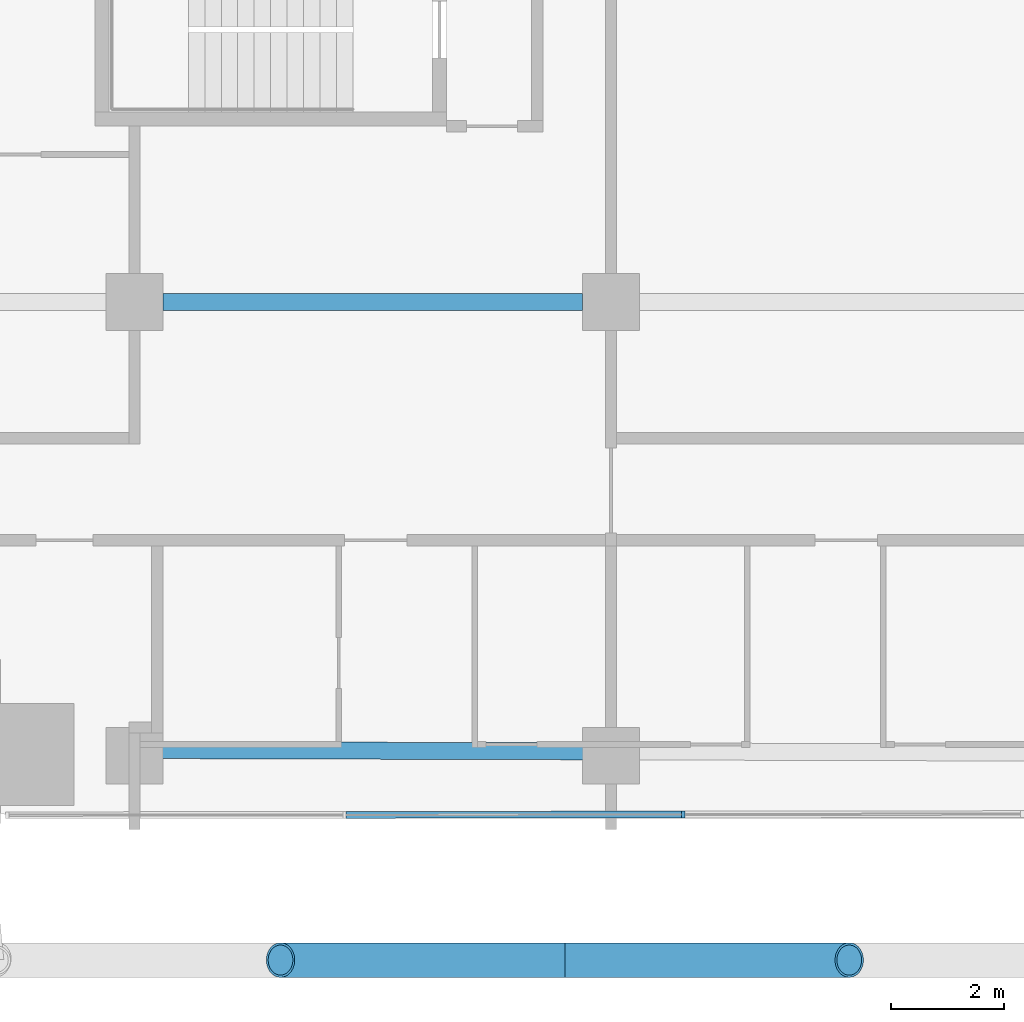
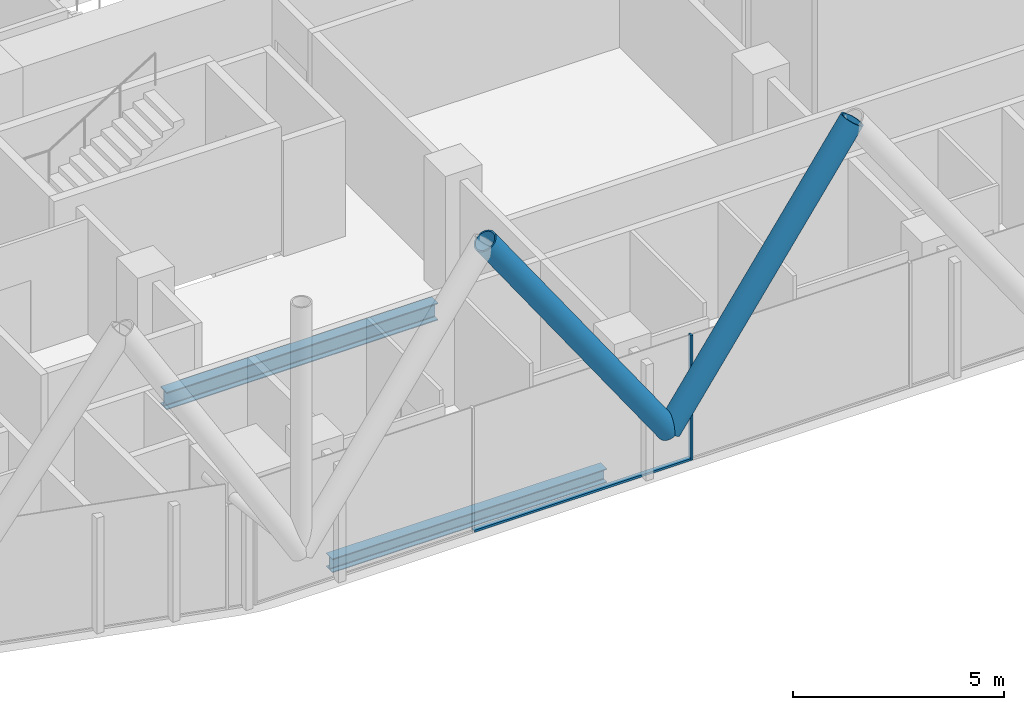
# One storey, part 3 of 34: 4 members, 2 beams, 1 element without a shape of its own.
"""IFC4 building model written with IfcOpenShell, lengths in metres."""

import ifcopenshell
import ifcopenshell.guid

model = None  # the IFC model being written
_history = None  # IfcOwnerHistory: only IFC2X3 demands one
_inside = {}  # id of a spatial element -> (the spatial element, [elements in it])
_under = {}  # id of a project, library or spatial element -> (it, [spatial elements below it])
_declared = {}  # id of a project -> (the project, [libraries it declares])
_typed = {}  # id of a type object -> (the type object, [elements of that type])
_made_of = {}  # id of a material, layer set ... -> (it, [elements and type objects made of it])


def new_model(schema):
    """Start an empty IFC model of exactly this schema.

    Asked for "IFC4X3", IfcOpenShell would pick the latest addendum, in which some entities
    have other attributes; the version numbers below select the first issue.
    IFC2X3 requires an IfcOwnerHistory on every rooted entity: one is made here for all.
    """
    global model, _history
    if schema == "IFC4X3":
        model = ifcopenshell.file(schema_version=(4, 3, 0, 0))
    else:
        model = ifcopenshell.file(schema=schema)
    _inside.clear()
    _under.clear()
    _declared.clear()
    _typed.clear()
    _made_of.clear()
    _history = None
    if model.schema == "IFC2X3":
        org = make("IfcOrganization", Name="unknown")
        user = make(
            "IfcPersonAndOrganization",
            ThePerson=make("IfcPerson", FamilyName="unknown"),
            TheOrganization=org,
        )
        app = make(
            "IfcApplication",
            ApplicationDeveloper=org,
            Version="unknown",
            ApplicationFullName="unknown",
            ApplicationIdentifier="unknown",
        )
        _history = make(
            "IfcOwnerHistory",
            OwningUser=user,
            OwningApplication=app,
            ChangeAction="ADDED",
            CreationDate=0,
        )
    return model


def make(cls, **values):
    """One entity of the class cls with the attributes given. An attribute that is None is left unset."""
    return model.create_entity(
        cls, **{name: value for name, value in values.items() if value is not None}
    )


def rooted(cls, **values):
    """An entity with a GlobalId (a new one), such as an element, a storey or a relation."""
    return make(cls, GlobalId=ifcopenshell.guid.new(), OwnerHistory=_history, **values)


def si_unit(unit_type, name, prefix=None):
    """IfcSIUnit, for example si_unit("LENGTHUNIT", "METRE", prefix="MILLI")."""
    return make("IfcSIUnit", UnitType=unit_type, Prefix=prefix, Name=name)


def assignment(units):
    """IfcUnitAssignment: the units of a project."""
    return None if units is None else make("IfcUnitAssignment", Units=units)


def point(xyz):
    """IfcCartesianPoint."""
    return None if xyz is None else make("IfcCartesianPoint", Coordinates=xyz)


def direction(xyz):
    """IfcDirection."""
    return None if xyz is None else make("IfcDirection", DirectionRatios=xyz)


def frame(location, z_axis=None, x_axis=None):
    """IfcAxis2Placement3D, a coordinate frame: its origin and axes. An axis left out is left unset."""
    return make(
        "IfcAxis2Placement3D",
        Location=point(location),
        Axis=direction(z_axis),
        RefDirection=direction(x_axis),
    )


def frame_2d(location, x_axis=None):
    """IfcAxis2Placement2D, a coordinate frame in the plane: its origin and x axis."""
    return make(
        "IfcAxis2Placement2D", Location=point(location), RefDirection=direction(x_axis)
    )


def origin():
    """The frame at (0, 0, 0) with its axes left unset."""
    return frame((0.0, 0.0, 0.0))


def origin_2d():
    """The frame at (0, 0) in the plane with its x axis left unset."""
    return frame_2d((0.0, 0.0))


def place(relative_to, where):
    """IfcLocalPlacement: puts the frame where relative to a parent placement (None: the world)."""
    return make(
        "IfcLocalPlacement", PlacementRelTo=relative_to, RelativePlacement=where
    )


def context(
    kind, dimensions, precision=None, world=None, true_north=None, identifier=None
):
    """IfcGeometricRepresentationContext, for example the 3D "Model" context."""
    return make(
        "IfcGeometricRepresentationContext",
        ContextIdentifier=identifier,
        ContextType=kind,
        CoordinateSpaceDimension=dimensions,
        Precision=precision,
        WorldCoordinateSystem=world,
        TrueNorth=true_north,
    )


def subcontext(parent, identifier, kind, view, scale=None):
    """IfcGeometricRepresentationSubContext, for example "Body" below "Model"."""
    return make(
        "IfcGeometricRepresentationSubContext",
        ContextIdentifier=identifier,
        ContextType=kind,
        ParentContext=parent,
        TargetScale=scale,
        TargetView=view,
    )


def project(units=None, contexts=None):
    """IfcProject with its units and contexts."""
    return rooted(
        "IfcProject",
        Name="project",
        RepresentationContexts=contexts,
        UnitsInContext=assignment(units),
    )


def spatial(cls, under=None, at=None, **own):
    """A site, building, storey or space (cls), placed at a placement, below another one or the project."""
    s = rooted(cls, ObjectPlacement=at, **own)
    if under is not None:
        _under.setdefault(under.id(), (under, []))[1].append(s)
    return s


def profile(cls, at=None, kind="AREA", **sizes):
    """A parametric profile (cls). Its sizes go by their IFC names, for example OverallWidth=200.0."""
    return make(cls, ProfileType=kind, Position=at, **sizes)


def rectangle(**sizes):
    """IfcRectangleProfileDef."""
    return profile("IfcRectangleProfileDef", **sizes)


def hollow_circle(**sizes):
    """IfcCircleHollowProfileDef."""
    return profile("IfcCircleHollowProfileDef", **sizes)


def i_section(**sizes):
    """IfcIShapeProfileDef."""
    return profile("IfcIShapeProfileDef", **sizes)


def extrude(swept, where, along, depth):
    """IfcExtrudedAreaSolid: the profile swept, set in the frame where, extruded along a direction by depth."""
    return make(
        "IfcExtrudedAreaSolid",
        SweptArea=swept,
        Position=where,
        ExtrudedDirection=direction(along),
        Depth=depth,
    )


def shape(context_of_items, identifier, shape_type, items):
    """IfcShapeRepresentation: the items that make up one representation, for example the "Body"."""
    return make(
        "IfcShapeRepresentation",
        ContextOfItems=context_of_items,
        RepresentationIdentifier=identifier,
        RepresentationType=shape_type,
        Items=items,
    )


def material(Name=None, Category=None):
    """IfcMaterial."""
    return make("IfcMaterial", Name=Name, Category=Category)


def layer(
    of_material, thickness, ventilated=None, Name=None, Category=None, Priority=None
):
    """IfcMaterialLayer: one layer of a wall or slab, of a material (None: an air gap)."""
    return make(
        "IfcMaterialLayer",
        Material=of_material,
        LayerThickness=thickness,
        IsVentilated=ventilated,
        Name=Name,
        Category=Category,
        Priority=Priority,
    )


def layer_set(layers, Name=None):
    """IfcMaterialLayerSet."""
    return make("IfcMaterialLayerSet", MaterialLayers=layers, LayerSetName=Name)


def material_profile(
    of_material, cross_section, Name=None, Category=None, Priority=None
):
    """IfcMaterialProfile: a cross section and its material."""
    return make(
        "IfcMaterialProfile",
        Name=Name,
        Material=of_material,
        Profile=cross_section,
        Priority=Priority,
        Category=Category,
    )


def profile_set(profiles, Name=None, composite=None):
    """IfcMaterialProfileSet."""
    return make(
        "IfcMaterialProfileSet",
        Name=Name,
        MaterialProfiles=profiles,
        CompositeProfile=composite,
    )


def made_of(thing, what):
    """Note that an element or type object is made of a material, layer set ...; save() writes the relation."""
    if what is not None:
        _made_of.setdefault(what.id(), (what, []))[1].append(thing)
    return thing


def type_object(cls, material=None, **own):
    """A type object (cls), such as IfcWallType, which elements share."""
    return made_of(rooted(cls, **own), material)


def element(
    cls,
    number,
    at=None,
    inside=None,
    cuts=None,
    type_object=None,
    material=None,
    context=None,
    identifier="Body",
    shape_type=None,
    held_by="IfcProductDefinitionShape",
    body=None,
    shapes=None,
    **own,
):
    """One element of the class cls, such as IfcWall. Its Tag is "e" and its number.

    at: its placement. inside: the storey or other place that contains it. cuts: it is an
    opening in that element (IfcRelVoidsElement). A single representation is given by context,
    identifier, shape_type and body (its items); several are given by shapes. held_by: the class
    of the entity that holds the representations. save() writes the other relations.
    """
    e = rooted(cls, Tag="e%d" % number, ObjectPlacement=at, **own)
    if body is not None:
        shapes = [shape(context, identifier, shape_type, body)]
    if shapes is not None:
        e.Representation = make(held_by, Representations=shapes)
    if inside is not None:
        _inside.setdefault(inside.id(), (inside, []))[1].append(e)
    if cuts is not None:
        rooted(
            "IfcRelVoidsElement", RelatingBuildingElement=cuts, RelatedOpeningElement=e
        )
    if type_object is not None:
        _typed.setdefault(type_object.id(), (type_object, []))[1].append(e)
    return made_of(e, material)


def aggregate(whole, parts):
    """IfcRelAggregates: a whole, such as a stair, and the parts it consists of."""
    return rooted("IfcRelAggregates", RelatingObject=whole, RelatedObjects=parts)


def save(model, path):
    """Write the relations noted so far, then the file.

    IfcRelAggregates (storeys below a building ...), IfcRelContainedInSpatialStructure (elements
    in a storey), IfcRelDefinesByType, IfcRelAssociatesMaterial and IfcRelDeclares: one each for
    every whole, place, type object, material and project.
    """
    for whole, parts in _under.values():
        aggregate(whole, parts)
    for where, things in _inside.values():
        rooted(
            "IfcRelContainedInSpatialStructure",
            RelatedElements=things,
            RelatingStructure=where,
        )
    for kind, things in _typed.values():
        rooted("IfcRelDefinesByType", RelatedObjects=things, RelatingType=kind)
    for what, things in _made_of.values():
        rooted("IfcRelAssociatesMaterial", RelatedObjects=things, RelatingMaterial=what)
    for by, libraries in _declared.values():
        rooted("IfcRelDeclares", RelatingContext=by, RelatedDefinitions=libraries)
    model.write(path)


model = new_model("IFC4")

# Units and contexts
model_context = context("Model", 3, precision=1e-05, world=origin(), true_north=direction((0.0, 1.0)))
body_context = subcontext(model_context, "Body", "Model", "MODEL_VIEW")
ifc_project = project(units=[si_unit("LENGTHUNIT", "METRE"), si_unit("AREAUNIT", "SQUARE_METRE"), si_unit("VOLUMEUNIT", "CUBIC_METRE"), si_unit("PLANEANGLEUNIT", "RADIAN"), si_unit("MASSUNIT", "GRAM", prefix="KILO")], contexts=[model_context])

# Site, building, storey
site_placement = place(None, origin())
site = spatial("IfcSite", under=ifc_project, at=site_placement, CompositionType="ELEMENT")
building_placement = place(site_placement, origin())
building = spatial("IfcBuilding", under=site, at=building_placement, Name="Marenta Gate Hotel Tower", CompositionType="ELEMENT")
storey_placement = place(building_placement, frame((0.0, 0.0, 76.10009765625)))
storey = spatial("IfcBuildingStorey", under=building, at=storey_placement, Name="L17", CompositionType="ELEMENT", Elevation=76.10009765625)

# Members
ifc_material_1 = material(Name="Steel S355J2W", Category="steel")
ifc_material_profile_1 = material_profile(ifc_material_1, hollow_circle(Radius=0.304931640625, WallThickness=0.0400390625, at=origin_2d()), Name="CHS 610x40")
ifc_profile_set_1 = profile_set([ifc_material_profile_1], Name="Steel S355J2W")
member_type_1 = type_object("IfcMemberType", Name="Diagrid diagonal Z1 CHS 610x40", PredefinedType="BRACE", material=ifc_profile_set_1)
for number, where, z_axis, x_axis, name in (
    (1, (-5.012939453125, -20.0, 3.139892578125), (0.571393025954, 0.0, 0.820676556197), (0.0, 1.0, 0.0), "L17-DG-18"),
    (2, (-5.012939453125, -20.0, 3.139892578125), (-0.571393025954, 0.0, 0.820676556197), (0.0, -1.0, 0.0), "L17-DG-19"),
):
    element("IfcMember", number, at=place(storey_placement, frame(where, z_axis=z_axis, x_axis=x_axis)), inside=storey, type_object=member_type_1, Name=name, PredefinedType="BRACE", context=body_context, shape_type="SweptSolid", body=[
        extrude(hollow_circle(Radius=0.304931640625, WallThickness=0.0400390625, at=origin_2d()), origin(), (0.0, 0.0, 1.0), 8.773193359375),
    ])

# Beams
ifc_material_2 = material(Name="Steel S355", Category="steel")
ifc_material_profile_2 = material_profile(ifc_material_2, i_section(OverallWidth=0.300048828125, OverallDepth=0.39990234375, WebThickness=0.013427734375, FlangeThickness=0.02392578125, FilletRadius=0.027099609375, at=origin_2d()), Name="HEB 400")
ifc_profile_set_2 = profile_set([ifc_material_profile_2], Name="Steel S355")
beam_type_1 = type_object("IfcBeamType", Name="Edge beam HEB 400", PredefinedType="SPANDREL", material=ifc_profile_set_2)
beam_1_placement = place(storey_placement, frame((-4.659912109375, -16.31982421875, -0.460205078125), z_axis=(-0.999996151562, 0.002774321851, 0.0), x_axis=(-0.002774321851, -0.999996151562, 0.0)))
element("IfcBeam", 3, at=beam_1_placement, inside=storey, type_object=beam_type_1, Name="L17-EB-34", PredefinedType="SPANDREL", context=body_context, shape_type="SweptSolid", body=[
    extrude(i_section(OverallWidth=0.300048828125, OverallDepth=0.39990234375, WebThickness=0.013427734375, FlangeThickness=0.02392578125, FilletRadius=0.027099609375, at=origin_2d()), origin(), (0.0, 0.0, 1.0), 7.47998046875),
])
ifc_material_3 = material(Name="Steel S355", Category="steel")
ifc_material_profile_3 = material_profile(ifc_material_3, i_section(OverallWidth=0.300048828125, OverallDepth=0.5, WebThickness=0.014404296875, FlangeThickness=0.028076171875, FilletRadius=0.027099609375, at=origin_2d()), Name="HEB 500")
ifc_profile_set_3 = profile_set([ifc_material_profile_3], Name="Steel S355")
beam_type_2 = type_object("IfcBeamType", Name="Girder HEB 500", PredefinedType="BEAM", material=ifc_profile_set_3)
beam_2_placement = place(storey_placement, frame((-12.10009765625, -8.39990234375, -0.510009765625), z_axis=(1.0, 0.0, 0.0), x_axis=(0.0, 1.0, 0.0)))
element("IfcBeam", 4, at=beam_2_placement, inside=storey, type_object=beam_type_2, Name="L17-GD-3", PredefinedType="BEAM", context=body_context, shape_type="SweptSolid", body=[
    extrude(i_section(OverallWidth=0.300048828125, OverallDepth=0.5, WebThickness=0.014404296875, FlangeThickness=0.028076171875, FilletRadius=0.027099609375, at=origin_2d()), origin(), (0.0, 0.0, 1.0), 7.400146484375),
])

# Curtain wall, members
ifc_material_4 = material(Name="Tinted insulated glass in bronze anodised frame", Category="glass")
ifc_layer = layer(ifc_material_4, 0.1201171875)
ifc_layer_set = layer_set([ifc_layer], Name="Tinted insulated glass in bronze anodised frame")
curtain_wall_type = type_object("IfcCurtainWallType", Name="Tower unitised curtain wall CW1", PredefinedType="NOTDEFINED", material=ifc_layer_set)
curtain_wall_placement = place(storey_placement, origin())
curtain_wall = element("IfcCurtainWall", 5, at=curtain_wall_placement, inside=storey, type_object=curtain_wall_type, Name="CW1 run G11", PredefinedType="NOTDEFINED")
ifc_material_5 = material(Name="Bronze anodised aluminium", Category="aluminium")
ifc_material_profile_4 = material_profile(ifc_material_5, rectangle(XDim=0.1201171875, YDim=0.06005859375, at=origin_2d()), Name="Mullion CW1 60x120 bronze anodised aluminium")
ifc_profile_set_4 = profile_set([ifc_material_profile_4], Name="Bronze anodised aluminium")
member_type_2 = type_object("IfcMemberType", Name="Mullion CW1 60x120 bronze anodised aluminium", PredefinedType="MULLION", material=ifc_profile_set_4)
member_1_placement = place(storey_placement, frame((-2.9248046875, -17.433837890625, 0.0), z_axis=(0.0, 0.0, 1.0), x_axis=(-0.001161921639, 0.999999324969, 0.0)))
member_1 = element("IfcMember", 6, at=member_1_placement, type_object=member_type_2, Name="CW1 mullion 3", PredefinedType="MULLION", context=body_context, shape_type="SweptSolid", body=[
    extrude(rectangle(XDim=0.1201171875, YDim=0.06005859375, at=origin_2d()), origin(), (0.0, 0.0, 1.0), 3.599853515625),
])
ifc_material_6 = material(Name="Bronze anodised aluminium", Category="aluminium")
ifc_material_profile_5 = material_profile(ifc_material_6, rectangle(XDim=0.1201171875, YDim=0.06005859375, at=origin_2d()), Name="Transom CW1 60x120 bronze anodised aluminium")
ifc_profile_set_5 = profile_set([ifc_material_profile_5], Name="Bronze anodised aluminium")
member_type_3 = type_object("IfcMemberType", Name="Transom CW1 60x120 bronze anodised aluminium", PredefinedType="USERDEFINED", material=ifc_profile_set_5)
member_2_placement = place(storey_placement, frame((-8.86767578125, -17.44091796875, 0.02978515625), z_axis=(0.999999283109, 0.001197406136, 0.0), x_axis=(-0.001197406136, 0.999999283109, 0.0)))
member_2 = element("IfcMember", 7, at=member_2_placement, type_object=member_type_3, Name="CW1 transom 2.1", ObjectType="TRANSOM", PredefinedType="USERDEFINED", context=body_context, shape_type="SweptSolid", body=[
    extrude(rectangle(XDim=0.1201171875, YDim=0.06005859375, at=origin_2d()), origin(), (0.0, 0.0, 1.0), 5.912841796875),
])
aggregate(curtain_wall, [member_1, member_2])

save(model, "model.ifc")
